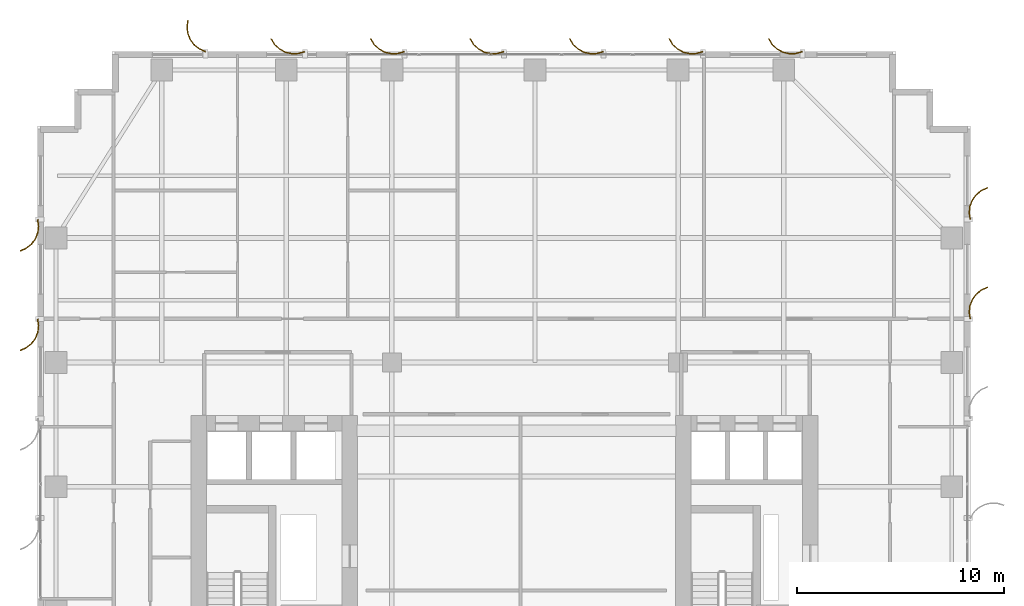
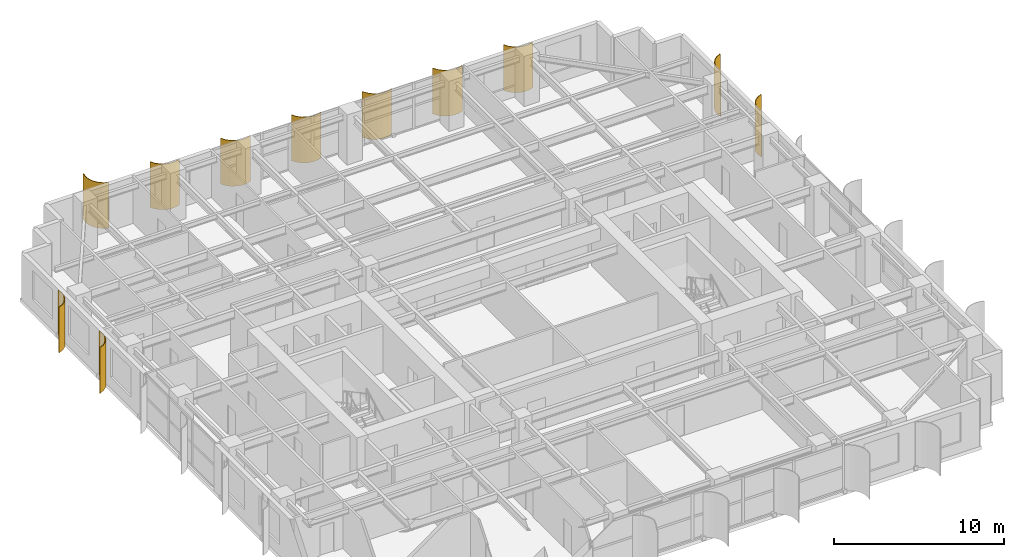
# One storey, part 26 of 26: 11 shading devices.
"""IFC4 building model written with IfcOpenShell, lengths in metres."""

from ifc_helpers import new_model, si_unit, direction, frame, origin, place, context, subcontext, project, spatial, polyline, outline, extrude, source, transform, mapped, material, layer, layer_set, type_object, element, save


model = new_model("IFC4")

# Units and contexts
model_context = context("Model", 3, precision=1e-05, world=origin(), true_north=direction((0.0, 1.0)))
body_context = subcontext(model_context, "Body", "Model", "MODEL_VIEW")
ifc_project = project(units=[si_unit("LENGTHUNIT", "METRE"), si_unit("AREAUNIT", "SQUARE_METRE"), si_unit("VOLUMEUNIT", "CUBIC_METRE"), si_unit("PLANEANGLEUNIT", "RADIAN"), si_unit("MASSUNIT", "GRAM", prefix="KILO")], contexts=[model_context])

# Site, building, storey
site_placement = place(None, origin())
site = spatial("IfcSite", under=ifc_project, at=site_placement, CompositionType="ELEMENT")
building_placement = place(site_placement, origin())
building = spatial("IfcBuilding", under=site, at=building_placement, Name="Khoralis Quay Care Tower", CompositionType="ELEMENT")
storey_placement = place(building_placement, frame((0.0, 0.0, 126.89990234375)))
storey = spatial("IfcBuildingStorey", under=building, at=storey_placement, Name="L33", CompositionType="ELEMENT", Elevation=126.89990234375)

# Shading devices
ifc_material = material(Name="Brushed pale anodised aluminium", Category="aluminium")
ifc_layer = layer(ifc_material, 0.044921875)
ifc_layer_set = layer_set([ifc_layer], Name="Brushed pale anodised aluminium")
shading_device_type = type_object("IfcShadingDeviceType", Name="SHD-FIN-1250", PredefinedType="USERDEFINED", material=ifc_layer_set)
shared_shape_1 = source(origin(), body_context, "Body", "SweptSolid", [
    extrude(outline(polyline([(0.0, 0.0), (-0.04833984375, 0.32275390625), (-0.01123046875, 0.64697265625), (0.1083984375, 0.950439453125), (0.302490234375, 1.212890625), (0.557861328125, 1.416015625), (0.85693359375, 1.546142578125), (0.869384765625, 1.5029296875), (0.5810546875, 1.37744140625), (0.334716796875, 1.181640625), (0.147705078125, 0.9287109375), (0.032470703125, 0.635986328125), (-0.003173828125, 0.323486328125), (0.043212890625, 0.012451171875), (0.0, 0.0)])), origin(), (0.0, 0.0, 1.0), 3.280029296875),
])
for number, where, z_axis, x_axis, name in (
    (1, (44.969970703125, 32.10009765625, 0.02001953125), (0.0, 0.0, 1.0), (1.0, 0.0, 0.0), "L33 Curved Solar Fin P1E5-06"),
    (2, (44.969970703125, 36.89990234375, 0.02001953125), (0.0, 0.0, 1.0), (1.0, 0.0, 0.0), "L33 Curved Solar Fin P1E5-07"),
    (3, (0.030029296875, 36.89990234375, 0.02001953125), (0.0, 0.0, 1.0), (-1.0, 0.0, 0.0), "L33 Curved Solar Fin P1E15-01"),
    (4, (0.030029296875, 32.10009765625, 0.02001953125), (0.0, 0.0, 1.0), (-1.0, 0.0, 0.0), "L33 Curved Solar Fin P1E15-02"),
):
    element("IfcShadingDevice", number, at=place(storey_placement, frame(where, z_axis=z_axis, x_axis=x_axis)), inside=storey, type_object=shading_device_type, Name=name, ObjectType="FIN", PredefinedType="USERDEFINED", context=body_context, shape_type="MappedRepresentation", body=[
        mapped(shared_shape_1, transform((0.0, 0.0, 0.0), scale=1.0)),
    ])
shared_shape_2 = source(origin(), body_context, "Body", "SweptSolid", [
    extrude(outline(polyline([(0.0, 0.0), (-0.0927734375, 0.31298828125), (-0.101318359375, 0.63916015625), (-0.025146484375, 0.956298828125), (0.130615234375, 1.2431640625), (0.355224609375, 1.479736328125), (0.633544921875, 1.650390625), (0.65185546875, 1.609130859375), (0.383544921875, 1.44482421875), (0.1669921875, 1.216796875), (0.01708984375, 0.940185546875), (-0.056396484375, 0.63427734375), (-0.04833984375, 0.31982421875), (0.041015625, 0.018310546875), (0.0, 0.0)])), origin(), (0.0, 0.0, 1.0), 3.280029296875),
])
for number, where, z_axis, x_axis, name in (
    (5, (36.89990234375, 44.969970703125, 0.02001953125), (0.0, 0.0, 1.0), (0.0, 1.0, 0.0), "L33 Curved Solar Fin P1E10-01"),
    (6, (32.10009765625, 44.969970703125, 0.02001953125), (0.0, 0.0, 1.0), (0.0, 1.0, 0.0), "L33 Curved Solar Fin P1E10-02"),
    (7, (27.300048828125, 44.969970703125, 0.02001953125), (0.0, 0.0, 1.0), (0.0, 1.0, 0.0), "L33 Curved Solar Fin P1E10-03"),
    (8, (22.5, 44.969970703125, 0.02001953125), (0.0, 0.0, 1.0), (0.0, 1.0, 0.0), "L33 Curved Solar Fin P1E10-04"),
    (9, (17.699951171875, 44.969970703125, 0.02001953125), (0.0, 0.0, 1.0), (0.0, 1.0, 0.0), "L33 Curved Solar Fin P1E10-05"),
    (10, (12.89990234375, 44.969970703125, 0.02001953125), (0.0, 0.0, 1.0), (0.0, 1.0, 0.0), "L33 Curved Solar Fin P1E10-06"),
):
    element("IfcShadingDevice", number, at=place(storey_placement, frame(where, z_axis=z_axis, x_axis=x_axis)), inside=storey, type_object=shading_device_type, Name=name, ObjectType="FIN", PredefinedType="USERDEFINED", context=body_context, shape_type="MappedRepresentation", body=[
        mapped(shared_shape_2, transform((0.0, 0.0, 0.0), scale=1.0)),
    ])
shared_shape_3 = source(origin(), body_context, "Body", "SweptSolid", [
    extrude(outline(polyline([(0.0, 0.0), (0.130126953125, 0.29931640625), (0.333251953125, 0.5546875), (0.595458984375, 0.748779296875), (0.899169921875, 0.868408203125), (1.223388671875, 0.9052734375), (1.546142578125, 0.85693359375), (1.53369140625, 0.813720703125), (1.22265625, 0.8603515625), (0.91015625, 0.82470703125), (0.617431640625, 0.70947265625), (0.364501953125, 0.522216796875), (0.168701171875, 0.276123046875), (0.043212890625, -0.012451171875), (0.0, 0.0)])), origin(), (0.0, 0.0, 1.0), 3.280029296875),
])
shading_device_placement = place(storey_placement, frame((8.10009765625, 44.969970703125, 0.02001953125), z_axis=(0.0, 0.0, 1.0), x_axis=(0.0, 1.0, 0.0)))
element("IfcShadingDevice", 11, at=shading_device_placement, inside=storey, type_object=shading_device_type, Name="L33 Curved Solar Fin P1E10-07", ObjectType="FIN", PredefinedType="USERDEFINED", context=body_context, shape_type="MappedRepresentation", body=[
    mapped(shared_shape_3, transform((0.0, 0.0, 0.0), scale=1.0)),
])

save(model, "model.ifc")
